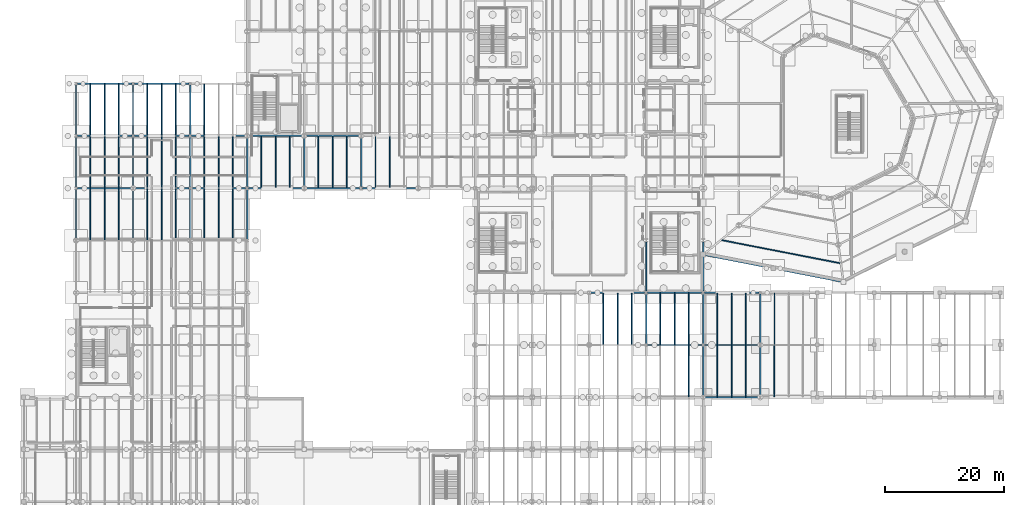
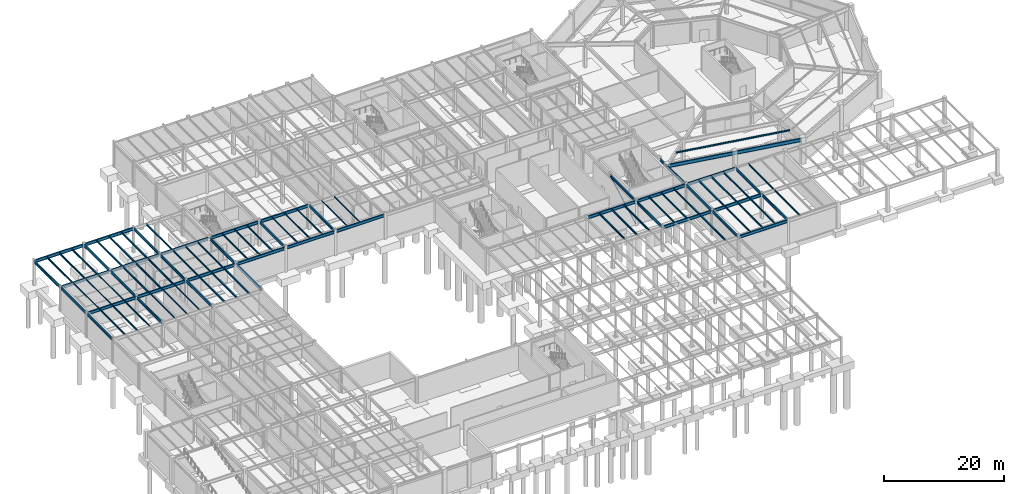
# One storey, part 20 of 48: 89 beams, 1 member.
"""IFC4 building model written with IfcOpenShell, lengths in metres."""

from ifc_helpers import new_model, si_unit, direction, frame, origin, origin_2d, place, context, subcontext, project, spatial, hollow_rectangle, i_section, extrude, material, material_profile, profile_set, type_object, element, save


model = new_model("IFC4")

# Units and contexts
model_context = context("Model", 3, precision=1e-05, world=origin(), true_north=direction((0.0, 1.0)))
body_context = subcontext(model_context, "Body", "Model", "MODEL_VIEW")
ifc_project = project(units=[si_unit("LENGTHUNIT", "METRE"), si_unit("AREAUNIT", "SQUARE_METRE"), si_unit("VOLUMEUNIT", "CUBIC_METRE"), si_unit("PLANEANGLEUNIT", "RADIAN"), si_unit("MASSUNIT", "GRAM", prefix="KILO")], contexts=[model_context])

# Site, building, storey
site_placement = place(None, origin())
site = spatial("IfcSite", under=ifc_project, at=site_placement, CompositionType="ELEMENT")
building_placement = place(site_placement, origin())
building = spatial("IfcBuilding", under=site, at=building_placement, Name="Sarnbrook Museum", CompositionType="ELEMENT")
storey_placement = place(building_placement, frame((0.0, 0.0, -5.39990234375)))
storey = spatial("IfcBuildingStorey", under=building, at=storey_placement, Name="B1", CompositionType="ELEMENT", Elevation=-5.39990234375)

# Beams
ifc_material_1 = material(Name="Structural Steel Grade 300PLUS (AS/NZS 3679.1, fy = 280 MPa for 17 < t <= 40 mm, 300 MPa for t <= 17 mm)", Category="steel")
ifc_material_profile_1 = material_profile(ifc_material_1, i_section(OverallWidth=0.208984375, OverallDepth=0.532958984375, WebThickness=0.01025390625, FlangeThickness=0.015625, FilletRadius=0.013916015625, at=origin_2d()), Name="530UB92.4")
ifc_profile_set_1 = profile_set([ifc_material_profile_1], Name="Structural Steel Grade 300PLUS (AS/NZS 3679.1, fy = 280 MPa for 17 < t <= 40 mm, 300 MPa for t <= 17 mm)")
beam_type_1 = type_object("IfcBeamType", Name="BM-UB530", PredefinedType="BEAM", material=ifc_profile_set_1)
for number, where, z_axis, x_axis, name in (
    (1, (13.60009765625, 65.791015625, 4.83349609375), (0.0, 1.0, 0.0), (-1.0, 0.0, 0.0), "Girder 2:H-J B1"),
    (2, (13.60009765625, 74.591064453125, 4.83349609375), (0.0, 1.0, 0.0), (-1.0, 0.0, 0.0), "Girder 2:J-K B1"),
    (3, (13.60009765625, 83.39111328125, 4.83349609375), (0.0, 1.0, 0.0), (-1.0, 0.0, 0.0), "Girder 2:K-L B1"),
    (4, (23.199951171875, 65.791015625, 4.83349609375), (0.0, 1.0, 0.0), (-1.0, 0.0, 0.0), "Girder 3:H-J B1"),
    (5, (23.199951171875, 74.591064453125, 4.83349609375), (0.0, 1.0, 0.0), (-1.0, 0.0, 0.0), "Girder 3:J-K B1"),
    (6, (23.199951171875, 83.39111328125, 4.83349609375), (0.0, 1.0, 0.0), (-1.0, 0.0, 0.0), "Girder 3:K-L B1"),
    (7, (32.800048828125, 65.791015625, 4.83349609375), (0.0, 1.0, 0.0), (-1.0, 0.0, 0.0), "Girder 4:H-J B1"),
    (8, (32.800048828125, 74.591064453125, 4.83349609375), (0.0, 1.0, 0.0), (-1.0, 0.0, 0.0), "Girder 4:J-K B1"),
    (9, (32.800048828125, 83.39111328125, 4.83349609375), (0.0, 1.0, 0.0), (-1.0, 0.0, 0.0), "Girder 4:K-L B1"),
):
    element("IfcBeam", number, at=place(storey_placement, frame(where, z_axis=z_axis, x_axis=x_axis)), inside=storey, type_object=beam_type_1, Name=name, PredefinedType="BEAM", context=body_context, shape_type="SweptSolid", body=[
        extrude(i_section(OverallWidth=0.208984375, OverallDepth=0.532958984375, WebThickness=0.01025390625, FlangeThickness=0.015625, FilletRadius=0.013916015625, at=origin_2d()), origin(), (0.0, 0.0, 1.0), 8.41796875),
    ])
beam_1_placement = place(storey_placement, frame((42.39990234375, 65.791015625, 4.83349609375), z_axis=(0.0, 1.0, 0.0), x_axis=(-1.0, 0.0, 0.0)))
element("IfcBeam", 10, at=beam_1_placement, inside=storey, type_object=beam_type_1, Name="Girder 5:H-J B1", PredefinedType="BEAM", context=body_context, shape_type="SweptSolid", body=[
    extrude(i_section(OverallWidth=0.208984375, OverallDepth=0.532958984375, WebThickness=0.01025390625, FlangeThickness=0.015625, FilletRadius=0.013916015625, at=origin_2d()), origin(), (0.0, 0.0, 1.0), 8.364013671875),
])
for number, where, z_axis, x_axis, name in (
    (11, (42.39990234375, 74.64501953125, 4.823486328125), (0.0, 1.0, 0.0), (-1.0, 0.0, 0.0), "Girder 5:J-K B1"),
    (12, (52.0, 74.64501953125, 4.823486328125), (0.0, 1.0, 0.0), (-1.0, 0.0, 0.0), "Girder 6:J-K B1"),
    (13, (61.60009765625, 74.64501953125, 4.823486328125), (0.0, 1.0, 0.0), (-1.0, 0.0, 0.0), "Girder 7:J-K B1"),
):
    element("IfcBeam", number, at=place(storey_placement, frame(where, z_axis=z_axis, x_axis=x_axis)), inside=storey, type_object=beam_type_1, Name=name, PredefinedType="BEAM", context=body_context, shape_type="SweptSolid", body=[
        extrude(i_section(OverallWidth=0.208984375, OverallDepth=0.532958984375, WebThickness=0.01025390625, FlangeThickness=0.015625, FilletRadius=0.013916015625, at=origin_2d()), origin(), (0.0, 0.0, 1.0), 8.31005859375),
    ])
beam_2_placement = place(storey_placement, frame((109.60009765625, 48.19091796875, 4.83349609375), z_axis=(0.0, 1.0, 0.0), x_axis=(-1.0, 0.0, 0.0)))
element("IfcBeam", 14, at=beam_2_placement, inside=storey, type_object=beam_type_1, Name="Girder 12:F-G B1", PredefinedType="BEAM", context=body_context, shape_type="SweptSolid", body=[
    extrude(i_section(OverallWidth=0.208984375, OverallDepth=0.532958984375, WebThickness=0.01025390625, FlangeThickness=0.015625, FilletRadius=0.013916015625, at=origin_2d()), origin(), (0.0, 0.0, 1.0), 8.364013671875),
])
beam_3_placement = place(storey_placement, frame((109.60009765625, 57.044921875, 4.83349609375), z_axis=(0.0, 1.0, 0.0), x_axis=(-1.0, 0.0, 0.0)))
element("IfcBeam", 15, at=beam_3_placement, inside=storey, type_object=beam_type_1, Name="Girder 12:G-H B1", PredefinedType="BEAM", context=body_context, shape_type="SweptSolid", body=[
    extrude(i_section(OverallWidth=0.208984375, OverallDepth=0.532958984375, WebThickness=0.01025390625, FlangeThickness=0.015625, FilletRadius=0.013916015625, at=origin_2d()), origin(), (0.0, 0.0, 1.0), 8.31005859375),
])
beam_4_placement = place(storey_placement, frame((119.199951171875, 39.39111328125, 4.83349609375), z_axis=(0.0, 1.0, 0.0), x_axis=(-1.0, 0.0, 0.0)))
element("IfcBeam", 16, at=beam_4_placement, inside=storey, type_object=beam_type_1, Name="Girder 13:E-F B1", PredefinedType="BEAM", context=body_context, shape_type="SweptSolid", body=[
    extrude(i_section(OverallWidth=0.208984375, OverallDepth=0.532958984375, WebThickness=0.01025390625, FlangeThickness=0.015625, FilletRadius=0.013916015625, at=origin_2d()), origin(), (0.0, 0.0, 1.0), 8.41796875),
])
beam_5_placement = place(storey_placement, frame((119.199951171875, 48.19091796875, 4.83349609375), z_axis=(0.0, 1.0, 0.0), x_axis=(-1.0, 0.0, 0.0)))
element("IfcBeam", 17, at=beam_5_placement, inside=storey, type_object=beam_type_1, Name="Girder 13:F-G B1", PredefinedType="BEAM", context=body_context, shape_type="SweptSolid", body=[
    extrude(i_section(OverallWidth=0.208984375, OverallDepth=0.532958984375, WebThickness=0.01025390625, FlangeThickness=0.015625, FilletRadius=0.013916015625, at=origin_2d()), origin(), (0.0, 0.0, 1.0), 8.364013671875),
])
beam_6_placement = place(storey_placement, frame((119.199951171875, 57.044921875, 4.83349609375), z_axis=(0.0, 1.0, 0.0), x_axis=(-1.0, 0.0, 0.0)))
element("IfcBeam", 18, at=beam_6_placement, inside=storey, type_object=beam_type_1, Name="Girder 13:G-H B1", PredefinedType="BEAM", context=body_context, shape_type="SweptSolid", body=[
    extrude(i_section(OverallWidth=0.208984375, OverallDepth=0.532958984375, WebThickness=0.01025390625, FlangeThickness=0.015625, FilletRadius=0.013916015625, at=origin_2d()), origin(), (0.0, 0.0, 1.0), 8.31005859375),
])
for number, where, z_axis, x_axis, name in (
    (19, (128.800048828125, 39.39111328125, 4.843505859375), (0.0, 1.0, 0.0), (-1.0, 0.0, 0.0), "Girder 14:E-F B1"),
    (20, (128.800048828125, 48.19091796875, 4.843505859375), (0.0, 1.0, 0.0), (-1.0, 0.0, 0.0), "Girder 14:F-G B1"),
):
    element("IfcBeam", number, at=place(storey_placement, frame(where, z_axis=z_axis, x_axis=x_axis)), inside=storey, type_object=beam_type_1, Name=name, PredefinedType="BEAM", context=body_context, shape_type="SweptSolid", body=[
        extrude(i_section(OverallWidth=0.208984375, OverallDepth=0.532958984375, WebThickness=0.01025390625, FlangeThickness=0.015625, FilletRadius=0.013916015625, at=origin_2d()), origin(), (0.0, 0.0, 1.0), 8.41796875),
    ])
ifc_material_profile_2 = material_profile(ifc_material_1, i_section(OverallWidth=0.22900390625, OverallDepth=0.612060546875, WebThickness=0.011962890625, FlangeThickness=0.01953125, FilletRadius=0.013916015625, at=origin_2d()), Name="610UB125")
ifc_profile_set_2 = profile_set([ifc_material_profile_2], Name="Structural Steel Grade 300PLUS (AS/NZS 3679.1, fy = 280 MPa for 17 < t <= 40 mm, 300 MPa for t <= 17 mm)")
beam_type_2 = type_object("IfcBeamType", Name="BM-UB610H", PredefinedType="BEAM", material=ifc_profile_set_2)
beam_7_placement = place(storey_placement, frame((119.39990234375, 39.199951171875, 4.803955078125), z_axis=(1.0, 0.0, 0.0), x_axis=(0.0, 1.0, 0.0)))
element("IfcBeam", 21, at=beam_7_placement, inside=storey, type_object=beam_type_2, Name="Girder E:13-14 B1", PredefinedType="BEAM", context=body_context, shape_type="SweptSolid", body=[
    extrude(i_section(OverallWidth=0.22900390625, OverallDepth=0.612060546875, WebThickness=0.011962890625, FlangeThickness=0.01953125, FilletRadius=0.013916015625, at=origin_2d()), origin(), (0.0, 0.0, 1.0), 9.2001953125),
])
beam_8_placement = place(storey_placement, frame((109.800048828125, 48.0, 4.7939453125), z_axis=(1.0, 0.0, 0.0), x_axis=(0.0, 1.0, 0.0)))
element("IfcBeam", 22, at=beam_8_placement, inside=storey, type_object=beam_type_2, Name="Girder F:12-13 B1", PredefinedType="BEAM", context=body_context, shape_type="SweptSolid", body=[
    extrude(i_section(OverallWidth=0.22900390625, OverallDepth=0.612060546875, WebThickness=0.011962890625, FlangeThickness=0.01953125, FilletRadius=0.013916015625, at=origin_2d()), origin(), (0.0, 0.0, 1.0), 9.199951171875),
])
beam_9_placement = place(storey_placement, frame((119.39990234375, 48.0, 4.803955078125), z_axis=(1.0, 0.0, 0.0), x_axis=(0.0, 1.0, 0.0)))
element("IfcBeam", 23, at=beam_9_placement, inside=storey, type_object=beam_type_2, Name="Girder F:13-14 B1", PredefinedType="BEAM", context=body_context, shape_type="SweptSolid", body=[
    extrude(i_section(OverallWidth=0.22900390625, OverallDepth=0.612060546875, WebThickness=0.011962890625, FlangeThickness=0.01953125, FilletRadius=0.013916015625, at=origin_2d()), origin(), (0.0, 0.0, 1.0), 9.2001953125),
])
beam_10_placement = place(storey_placement, frame((100.25, 56.800048828125, 4.7939453125), z_axis=(1.0, 0.0, 0.0), x_axis=(0.0, 1.0, 0.0)))
element("IfcBeam", 24, at=beam_10_placement, inside=storey, type_object=beam_type_2, Name="Girder G:11-12 B1", PredefinedType="BEAM", context=body_context, shape_type="SweptSolid", body=[
    extrude(i_section(OverallWidth=0.22900390625, OverallDepth=0.612060546875, WebThickness=0.011962890625, FlangeThickness=0.01953125, FilletRadius=0.013916015625, at=origin_2d()), origin(), (0.0, 0.0, 1.0), 9.10009765625),
])
beam_11_placement = place(storey_placement, frame((109.85009765625, 56.800048828125, 4.7939453125), z_axis=(1.0, 0.0, 0.0), x_axis=(0.0, 1.0, 0.0)))
element("IfcBeam", 25, at=beam_11_placement, inside=storey, type_object=beam_type_2, Name="Girder G:12-13 B1", PredefinedType="BEAM", context=body_context, shape_type="SweptSolid", body=[
    extrude(i_section(OverallWidth=0.22900390625, OverallDepth=0.612060546875, WebThickness=0.011962890625, FlangeThickness=0.01953125, FilletRadius=0.013916015625, at=origin_2d()), origin(), (0.0, 0.0, 1.0), 9.099853515625),
])
beam_12_placement = place(storey_placement, frame((119.449951171875, 56.800048828125, 4.803955078125), z_axis=(1.0, 0.0, 0.0), x_axis=(0.0, 1.0, 0.0)))
element("IfcBeam", 26, at=beam_12_placement, inside=storey, type_object=beam_type_2, Name="Girder G:13-14 B1", PredefinedType="BEAM", context=body_context, shape_type="SweptSolid", body=[
    extrude(i_section(OverallWidth=0.22900390625, OverallDepth=0.612060546875, WebThickness=0.011962890625, FlangeThickness=0.01953125, FilletRadius=0.013916015625, at=origin_2d()), origin(), (0.0, 0.0, 1.0), 9.150146484375),
])
beam_13_placement = place(storey_placement, frame((13.800048828125, 74.39990234375, 4.7939453125), z_axis=(1.0, 0.0, 0.0), x_axis=(0.0, 1.0, 0.0)))
element("IfcBeam", 27, at=beam_13_placement, inside=storey, type_object=beam_type_2, Name="Girder J:2-3 B1", PredefinedType="BEAM", context=body_context, shape_type="SweptSolid", body=[
    extrude(i_section(OverallWidth=0.22900390625, OverallDepth=0.612060546875, WebThickness=0.011962890625, FlangeThickness=0.01953125, FilletRadius=0.013916015625, at=origin_2d()), origin(), (0.0, 0.0, 1.0), 9.199951171875),
])
beam_14_placement = place(storey_placement, frame((23.39990234375, 74.39990234375, 4.7939453125), z_axis=(1.0, 0.0, 0.0), x_axis=(0.0, 1.0, 0.0)))
element("IfcBeam", 28, at=beam_14_placement, inside=storey, type_object=beam_type_2, Name="Girder J:3-4 B1", PredefinedType="BEAM", context=body_context, shape_type="SweptSolid", body=[
    extrude(i_section(OverallWidth=0.22900390625, OverallDepth=0.612060546875, WebThickness=0.011962890625, FlangeThickness=0.01953125, FilletRadius=0.013916015625, at=origin_2d()), origin(), (0.0, 0.0, 1.0), 9.2001953125),
])
beam_15_placement = place(storey_placement, frame((33.0, 74.39990234375, 4.7939453125), z_axis=(1.0, 0.0, 0.0), x_axis=(0.0, 1.0, 0.0)))
element("IfcBeam", 29, at=beam_15_placement, inside=storey, type_object=beam_type_2, Name="Girder J:4-5 B1", PredefinedType="BEAM", context=body_context, shape_type="SweptSolid", body=[
    extrude(i_section(OverallWidth=0.22900390625, OverallDepth=0.612060546875, WebThickness=0.011962890625, FlangeThickness=0.01953125, FilletRadius=0.013916015625, at=origin_2d()), origin(), (0.0, 0.0, 1.0), 9.14990234375),
])
for number, where, z_axis, x_axis, name in (
    (30, (42.64990234375, 74.39990234375, 4.783935546875), (1.0, 0.0, 0.0), (0.0, 1.0, 0.0), "Girder J:5-6 B1"),
    (31, (52.25, 74.39990234375, 4.783935546875), (1.0, 0.0, 0.0), (0.0, 1.0, 0.0), "Girder J:6-7 B1"),
):
    element("IfcBeam", number, at=place(storey_placement, frame(where, z_axis=z_axis, x_axis=x_axis)), inside=storey, type_object=beam_type_2, Name=name, PredefinedType="BEAM", context=body_context, shape_type="SweptSolid", body=[
        extrude(i_section(OverallWidth=0.22900390625, OverallDepth=0.612060546875, WebThickness=0.011962890625, FlangeThickness=0.01953125, FilletRadius=0.013916015625, at=origin_2d()), origin(), (0.0, 0.0, 1.0), 9.10009765625),
    ])
beam_16_placement = place(storey_placement, frame((61.85009765625, 74.39990234375, 4.783935546875), z_axis=(1.0, 0.0, 0.0), x_axis=(0.0, 1.0, 0.0)))
element("IfcBeam", 32, at=beam_16_placement, inside=storey, type_object=beam_type_2, Name="Girder J:7-8 B1", PredefinedType="BEAM", context=body_context, shape_type="SweptSolid", body=[
    extrude(i_section(OverallWidth=0.22900390625, OverallDepth=0.612060546875, WebThickness=0.011962890625, FlangeThickness=0.01953125, FilletRadius=0.013916015625, at=origin_2d()), origin(), (0.0, 0.0, 1.0), 9.099853515625),
])
beam_17_placement = place(storey_placement, frame((13.800048828125, 83.199951171875, 4.7939453125), z_axis=(1.0, 0.0, 0.0), x_axis=(0.0, 1.0, 0.0)))
element("IfcBeam", 33, at=beam_17_placement, inside=storey, type_object=beam_type_2, Name="Girder K:2-3 B1", PredefinedType="BEAM", context=body_context, shape_type="SweptSolid", body=[
    extrude(i_section(OverallWidth=0.22900390625, OverallDepth=0.612060546875, WebThickness=0.011962890625, FlangeThickness=0.01953125, FilletRadius=0.013916015625, at=origin_2d()), origin(), (0.0, 0.0, 1.0), 9.199951171875),
])
beam_18_placement = place(storey_placement, frame((23.39990234375, 83.199951171875, 4.7939453125), z_axis=(1.0, 0.0, 0.0), x_axis=(0.0, 1.0, 0.0)))
element("IfcBeam", 34, at=beam_18_placement, inside=storey, type_object=beam_type_2, Name="Girder K:3-4 B1", PredefinedType="BEAM", context=body_context, shape_type="SweptSolid", body=[
    extrude(i_section(OverallWidth=0.22900390625, OverallDepth=0.612060546875, WebThickness=0.011962890625, FlangeThickness=0.01953125, FilletRadius=0.013916015625, at=origin_2d()), origin(), (0.0, 0.0, 1.0), 9.2001953125),
])
beam_19_placement = place(storey_placement, frame((33.0, 83.199951171875, 4.7939453125), z_axis=(1.0, 0.0, 0.0), x_axis=(0.0, 1.0, 0.0)))
element("IfcBeam", 35, at=beam_19_placement, inside=storey, type_object=beam_type_2, Name="Girder K:4-5 B1", PredefinedType="BEAM", context=body_context, shape_type="SweptSolid", body=[
    extrude(i_section(OverallWidth=0.22900390625, OverallDepth=0.612060546875, WebThickness=0.011962890625, FlangeThickness=0.01953125, FilletRadius=0.013916015625, at=origin_2d()), origin(), (0.0, 0.0, 1.0), 9.14990234375),
])
for number, where, z_axis, x_axis, name in (
    (36, (42.64990234375, 83.199951171875, 4.783935546875), (1.0, 0.0, 0.0), (0.0, 1.0, 0.0), "Girder K:5-6 B1"),
    (37, (52.25, 83.199951171875, 4.783935546875), (1.0, 0.0, 0.0), (0.0, 1.0, 0.0), "Girder K:6-7 B1"),
):
    element("IfcBeam", number, at=place(storey_placement, frame(where, z_axis=z_axis, x_axis=x_axis)), inside=storey, type_object=beam_type_2, Name=name, PredefinedType="BEAM", context=body_context, shape_type="SweptSolid", body=[
        extrude(i_section(OverallWidth=0.22900390625, OverallDepth=0.612060546875, WebThickness=0.011962890625, FlangeThickness=0.01953125, FilletRadius=0.013916015625, at=origin_2d()), origin(), (0.0, 0.0, 1.0), 9.10009765625),
    ])
beam_20_placement = place(storey_placement, frame((13.800048828125, 92.0, 4.7939453125), z_axis=(1.0, 0.0, 0.0), x_axis=(0.0, 1.0, 0.0)))
element("IfcBeam", 38, at=beam_20_placement, inside=storey, type_object=beam_type_2, Name="Girder L:2-3 B1", PredefinedType="BEAM", context=body_context, shape_type="SweptSolid", body=[
    extrude(i_section(OverallWidth=0.22900390625, OverallDepth=0.612060546875, WebThickness=0.011962890625, FlangeThickness=0.01953125, FilletRadius=0.013916015625, at=origin_2d()), origin(), (0.0, 0.0, 1.0), 9.199951171875),
])
beam_21_placement = place(storey_placement, frame((23.39990234375, 92.0, 4.7939453125), z_axis=(1.0, 0.0, 0.0), x_axis=(0.0, 1.0, 0.0)))
element("IfcBeam", 39, at=beam_21_placement, inside=storey, type_object=beam_type_2, Name="Girder L:3-4 B1", PredefinedType="BEAM", context=body_context, shape_type="SweptSolid", body=[
    extrude(i_section(OverallWidth=0.22900390625, OverallDepth=0.612060546875, WebThickness=0.011962890625, FlangeThickness=0.01953125, FilletRadius=0.013916015625, at=origin_2d()), origin(), (0.0, 0.0, 1.0), 9.2001953125),
])
ifc_material_2 = material(Name="Structural Steel Grade 350L0 (AS/NZS 3678, fy = 340 MPa for 20 < t <= 40 mm)", Category="steel")
ifc_material_profile_3 = material_profile(ifc_material_2, i_section(OverallWidth=0.25, OverallDepth=0.699951171875, WebThickness=0.010009765625, FlangeThickness=0.01611328125, at=origin_2d()), Name="700WB130")
ifc_profile_set_3 = profile_set([ifc_material_profile_3], Name="Structural Steel Grade 350L0 (AS/NZS 3678, fy = 340 MPa for 20 < t <= 40 mm)")
beam_type_3 = type_object("IfcBeamType", Name="BM-WB700", PredefinedType="BEAM", material=ifc_profile_set_3)
beam_22_placement = place(storey_placement, frame((119.4453125, 63.152099609375, 4.739990234375), z_axis=(0.981528508829, -0.191315933358, 0.0), x_axis=(0.191315933358, 0.981528508829, 0.0)))
element("IfcBeam", 40, at=beam_22_placement, inside=storey, type_object=beam_type_3, Name="Crystal Hall Perimeter Ring Girder 1 B1", PredefinedType="BEAM", context=body_context, shape_type="SweptSolid", body=[
    extrude(i_section(OverallWidth=0.25, OverallDepth=0.699951171875, WebThickness=0.010009765625, FlangeThickness=0.01611328125, at=origin_2d()), origin(), (0.0, 0.0, 1.0), 23.544189453125),
])
ifc_material_profile_4 = material_profile(ifc_material_1, i_section(OverallWidth=0.134033203125, OverallDepth=0.20703125, WebThickness=0.00634765625, FlangeThickness=0.009521484375, FilletRadius=0.0087890625, at=origin_2d()), Name="200UB29.8")
ifc_profile_set_4 = profile_set([ifc_material_profile_4], Name="Structural Steel Grade 300PLUS (AS/NZS 3679.1, fy = 280 MPa for 17 < t <= 40 mm, 300 MPa for t <= 17 mm)")
beam_type_4 = type_object("IfcBeamType", Name="JS-UB200", PredefinedType="JOIST", material=ifc_profile_set_4)
for number, where, z_axis, x_axis, name in (
    (41, (16.0, 74.514404296875, 4.996337890625), (0.0, 1.0, 0.0), (-1.0, 0.0, 0.0), "Composite Floor Joist 2J-1 B1"),
    (42, (18.39990234375, 74.514404296875, 4.996337890625), (0.0, 1.0, 0.0), (-1.0, 0.0, 0.0), "Composite Floor Joist 2J-2 B1"),
    (43, (20.800048828125, 74.514404296875, 4.996337890625), (0.0, 1.0, 0.0), (-1.0, 0.0, 0.0), "Composite Floor Joist 2J-3 B1"),
):
    element("IfcBeam", number, at=place(storey_placement, frame(where, z_axis=z_axis, x_axis=x_axis)), inside=storey, type_object=beam_type_4, Name=name, PredefinedType="JOIST", context=body_context, shape_type="SweptSolid", body=[
        extrude(i_section(OverallWidth=0.134033203125, OverallDepth=0.20703125, WebThickness=0.00634765625, FlangeThickness=0.009521484375, FilletRadius=0.0087890625, at=origin_2d()), origin(), (0.0, 0.0, 1.0), 8.571044921875),
    ])
for number, where, z_axis, x_axis, name in (
    (44, (25.60009765625, 65.714599609375, 4.996337890625), (0.0, 1.0, 0.0), (-1.0, 0.0, 0.0), "Composite Floor Joist 3H-1 B1"),
    (45, (28.0, 65.714599609375, 4.996337890625), (0.0, 1.0, 0.0), (-1.0, 0.0, 0.0), "Composite Floor Joist 3H-2 B1"),
    (46, (30.39990234375, 65.714599609375, 4.996337890625), (0.0, 1.0, 0.0), (-1.0, 0.0, 0.0), "Composite Floor Joist 3H-3 B1"),
):
    element("IfcBeam", number, at=place(storey_placement, frame(where, z_axis=z_axis, x_axis=x_axis)), inside=storey, type_object=beam_type_4, Name=name, PredefinedType="JOIST", context=body_context, shape_type="SweptSolid", body=[
        extrude(i_section(OverallWidth=0.134033203125, OverallDepth=0.20703125, WebThickness=0.00634765625, FlangeThickness=0.009521484375, FilletRadius=0.0087890625, at=origin_2d()), origin(), (0.0, 0.0, 1.0), 8.57080078125),
    ])
for number, where, z_axis, x_axis, name in (
    (47, (64.0, 74.514404296875, 4.986328125), (0.0, 1.0, 0.0), (-1.0, 0.0, 0.0), "Composite Floor Joist 7J-1 B1"),
    (48, (66.39990234375, 74.514404296875, 4.986328125), (0.0, 1.0, 0.0), (-1.0, 0.0, 0.0), "Composite Floor Joist 7J-2 B1"),
):
    element("IfcBeam", number, at=place(storey_placement, frame(where, z_axis=z_axis, x_axis=x_axis)), inside=storey, type_object=beam_type_4, Name=name, PredefinedType="JOIST", context=body_context, shape_type="SweptSolid", body=[
        extrude(i_section(OverallWidth=0.134033203125, OverallDepth=0.20703125, WebThickness=0.00634765625, FlangeThickness=0.009521484375, FilletRadius=0.0087890625, at=origin_2d()), origin(), (0.0, 0.0, 1.0), 8.571044921875),
    ])
ifc_material_profile_5 = material_profile(ifc_material_1, i_section(OverallWidth=0.14599609375, OverallDepth=0.256103515625, WebThickness=0.00634765625, FlangeThickness=0.010986328125, FilletRadius=0.0087890625, at=origin_2d()), Name="250UB37.3")
ifc_profile_set_5 = profile_set([ifc_material_profile_5], Name="Structural Steel Grade 300PLUS (AS/NZS 3679.1, fy = 280 MPa for 17 < t <= 40 mm, 300 MPa for t <= 17 mm)")
beam_type_5 = type_object("IfcBeamType", Name="JS-UB250", PredefinedType="JOIST", material=ifc_profile_set_5)
for number, where, z_axis, x_axis, name in (
    (49, (16.0, 65.714599609375, 4.971923828125), (0.0, 1.0, 0.0), (-1.0, 0.0, 0.0), "Composite Floor Joist 2H-1 B1"),
    (50, (18.39990234375, 65.714599609375, 4.971923828125), (0.0, 1.0, 0.0), (-1.0, 0.0, 0.0), "Composite Floor Joist 2H-2 B1"),
    (51, (20.800048828125, 65.714599609375, 4.971923828125), (0.0, 1.0, 0.0), (-1.0, 0.0, 0.0), "Composite Floor Joist 2H-3 B1"),
):
    element("IfcBeam", number, at=place(storey_placement, frame(where, z_axis=z_axis, x_axis=x_axis)), inside=storey, type_object=beam_type_5, Name=name, PredefinedType="JOIST", context=body_context, shape_type="SweptSolid", body=[
        extrude(i_section(OverallWidth=0.14599609375, OverallDepth=0.256103515625, WebThickness=0.00634765625, FlangeThickness=0.010986328125, FilletRadius=0.0087890625, at=origin_2d()), origin(), (0.0, 0.0, 1.0), 8.57080078125),
    ])
for number, where, z_axis, x_axis, name in (
    (52, (54.39990234375, 74.514404296875, 4.9619140625), (0.0, 1.0, 0.0), (-1.0, 0.0, 0.0), "Composite Floor Joist 6J-1 B1"),
    (53, (56.800048828125, 74.514404296875, 4.9619140625), (0.0, 1.0, 0.0), (-1.0, 0.0, 0.0), "Composite Floor Joist 6J-2 B1"),
    (54, (59.199951171875, 74.514404296875, 4.9619140625), (0.0, 1.0, 0.0), (-1.0, 0.0, 0.0), "Composite Floor Joist 6J-3 B1"),
    (55, (131.199951171875, 48.114501953125, 4.98193359375), (0.0, 1.0, 0.0), (-1.0, 0.0, 0.0), "Composite Floor Joist 14F-1 B1"),
):
    element("IfcBeam", number, at=place(storey_placement, frame(where, z_axis=z_axis, x_axis=x_axis)), inside=storey, type_object=beam_type_5, Name=name, PredefinedType="JOIST", context=body_context, shape_type="SweptSolid", body=[
        extrude(i_section(OverallWidth=0.14599609375, OverallDepth=0.256103515625, WebThickness=0.00634765625, FlangeThickness=0.010986328125, FilletRadius=0.0087890625, at=origin_2d()), origin(), (0.0, 0.0, 1.0), 8.571044921875),
    ])
ifc_material_profile_6 = material_profile(ifc_material_1, i_section(OverallWidth=0.1650390625, OverallDepth=0.303955078125, WebThickness=0.006103515625, FlangeThickness=0.01025390625, FilletRadius=0.011474609375, at=origin_2d()), Name="310UB40.4")
ifc_profile_set_6 = profile_set([ifc_material_profile_6], Name="Structural Steel Grade 300PLUS (AS/NZS 3679.1, fy = 280 MPa for 17 < t <= 40 mm, 300 MPa for t <= 17 mm)")
beam_type_6 = type_object("IfcBeamType", Name="JS-UB310", PredefinedType="JOIST", material=ifc_profile_set_6)
for number, where, z_axis, x_axis, name in (
    (56, (35.199951171875, 83.314453125, 4.947998046875), (0.0, 1.0, 0.0), (-1.0, 0.0, 0.0), "Composite Floor Joist 4K-1 B1"),
    (57, (44.800048828125, 74.514404296875, 4.93798828125), (0.0, 1.0, 0.0), (-1.0, 0.0, 0.0), "Composite Floor Joist 5J-1 B1"),
    (58, (47.199951171875, 74.514404296875, 4.93798828125), (0.0, 1.0, 0.0), (-1.0, 0.0, 0.0), "Composite Floor Joist 5J-2 B1"),
    (59, (49.60009765625, 74.514404296875, 4.93798828125), (0.0, 1.0, 0.0), (-1.0, 0.0, 0.0), "Composite Floor Joist 5J-3 B1"),
    (60, (121.60009765625, 48.114501953125, 4.9580078125), (0.0, 1.0, 0.0), (-1.0, 0.0, 0.0), "Composite Floor Joist 13F-1 B1"),
    (61, (124.0, 48.114501953125, 4.9580078125), (0.0, 1.0, 0.0), (-1.0, 0.0, 0.0), "Composite Floor Joist 13F-2 B1"),
    (62, (126.39990234375, 48.114501953125, 4.9580078125), (0.0, 1.0, 0.0), (-1.0, 0.0, 0.0), "Composite Floor Joist 13F-3 B1"),
    (63, (131.199951171875, 39.314453125, 4.9580078125), (0.0, 1.0, 0.0), (-1.0, 0.0, 0.0), "Composite Floor Joist 14E-1 B1"),
):
    element("IfcBeam", number, at=place(storey_placement, frame(where, z_axis=z_axis, x_axis=x_axis)), inside=storey, type_object=beam_type_6, Name=name, PredefinedType="JOIST", context=body_context, shape_type="SweptSolid", body=[
        extrude(i_section(OverallWidth=0.1650390625, OverallDepth=0.303955078125, WebThickness=0.006103515625, FlangeThickness=0.01025390625, FilletRadius=0.011474609375, at=origin_2d()), origin(), (0.0, 0.0, 1.0), 8.571044921875),
    ])
beam_23_placement = place(storey_placement, frame((122.35693359375, 65.64111328125, 4.93798828125), z_axis=(0.981528457279, -0.191316197829, 0.0), x_axis=(0.191316197829, 0.981528457279, 0.0)))
element("IfcBeam", 64, at=beam_23_placement, inside=storey, type_object=beam_type_6, Name="Crystal Hall Tangential Joist MO-1 B1", PredefinedType="JOIST", context=body_context, shape_type="SweptSolid", body=[
    extrude(i_section(OverallWidth=0.1650390625, OverallDepth=0.303955078125, WebThickness=0.006103515625, FlangeThickness=0.01025390625, FilletRadius=0.011474609375, at=origin_2d()), origin(), (0.0, 0.0, 1.0), 20.23779296875),
])
ifc_material_profile_7 = material_profile(ifc_material_1, i_section(OverallWidth=0.166015625, OverallDepth=0.306884765625, WebThickness=0.006591796875, FlangeThickness=0.01171875, FilletRadius=0.011474609375, at=origin_2d()), Name="310UB46.2")
ifc_profile_set_7 = profile_set([ifc_material_profile_7], Name="Structural Steel Grade 300PLUS (AS/NZS 3679.1, fy = 280 MPa for 17 < t <= 40 mm, 300 MPa for t <= 17 mm)")
beam_type_7 = type_object("IfcBeamType", Name="JS-UB310H", PredefinedType="JOIST", material=ifc_profile_set_7)
for number, where, z_axis, x_axis, name in (
    (65, (25.60009765625, 83.314453125, 4.9462890625), (0.0, 1.0, 0.0), (-1.0, 0.0, 0.0), "Composite Floor Joist 3K-1 B1"),
    (66, (28.0, 83.314453125, 4.9462890625), (0.0, 1.0, 0.0), (-1.0, 0.0, 0.0), "Composite Floor Joist 3K-2 B1"),
    (67, (30.39990234375, 83.314453125, 4.9462890625), (0.0, 1.0, 0.0), (-1.0, 0.0, 0.0), "Composite Floor Joist 3K-3 B1"),
    (68, (35.199951171875, 74.514404296875, 4.9462890625), (0.0, 1.0, 0.0), (-1.0, 0.0, 0.0), "Composite Floor Joist 4J-1 B1"),
    (69, (37.60009765625, 74.514404296875, 4.9462890625), (0.0, 1.0, 0.0), (-1.0, 0.0, 0.0), "Composite Floor Joist 4J-2 B1"),
    (70, (40.0, 74.514404296875, 4.9462890625), (0.0, 1.0, 0.0), (-1.0, 0.0, 0.0), "Composite Floor Joist 4J-3 B1"),
    (71, (112.0, 48.114501953125, 4.9462890625), (0.0, 1.0, 0.0), (-1.0, 0.0, 0.0), "Composite Floor Joist 12F-1 B1"),
    (72, (114.39990234375, 48.114501953125, 4.9462890625), (0.0, 1.0, 0.0), (-1.0, 0.0, 0.0), "Composite Floor Joist 12F-2 B1"),
    (73, (116.800048828125, 48.114501953125, 4.9462890625), (0.0, 1.0, 0.0), (-1.0, 0.0, 0.0), "Composite Floor Joist 12F-3 B1"),
    (74, (121.60009765625, 39.314453125, 4.956298828125), (0.0, 1.0, 0.0), (-1.0, 0.0, 0.0), "Composite Floor Joist 13E-1 B1"),
    (75, (124.0, 39.314453125, 4.956298828125), (0.0, 1.0, 0.0), (-1.0, 0.0, 0.0), "Composite Floor Joist 13E-2 B1"),
    (76, (126.39990234375, 39.314453125, 4.956298828125), (0.0, 1.0, 0.0), (-1.0, 0.0, 0.0), "Composite Floor Joist 13E-3 B1"),
):
    element("IfcBeam", number, at=place(storey_placement, frame(where, z_axis=z_axis, x_axis=x_axis)), inside=storey, type_object=beam_type_7, Name=name, PredefinedType="JOIST", context=body_context, shape_type="SweptSolid", body=[
        extrude(i_section(OverallWidth=0.166015625, OverallDepth=0.306884765625, WebThickness=0.006591796875, FlangeThickness=0.01171875, FilletRadius=0.011474609375, at=origin_2d()), origin(), (0.0, 0.0, 1.0), 8.571044921875),
    ])
ifc_material_profile_8 = material_profile(ifc_material_1, i_section(OverallWidth=0.1708984375, OverallDepth=0.35595703125, WebThickness=0.00732421875, FlangeThickness=0.011474609375, FilletRadius=0.011474609375, at=origin_2d()), Name="360UB50.7")
ifc_profile_set_8 = profile_set([ifc_material_profile_8], Name="Structural Steel Grade 300PLUS (AS/NZS 3679.1, fy = 280 MPa for 17 < t <= 40 mm, 300 MPa for t <= 17 mm)")
beam_type_8 = type_object("IfcBeamType", Name="JS-UB360", PredefinedType="JOIST", material=ifc_profile_set_8)
for number, where, z_axis, x_axis, name in (
    (77, (16.0, 83.314453125, 4.921875), (0.0, 1.0, 0.0), (-1.0, 0.0, 0.0), "Composite Floor Joist 2K-1 B1"),
    (78, (18.39990234375, 83.314453125, 4.921875), (0.0, 1.0, 0.0), (-1.0, 0.0, 0.0), "Composite Floor Joist 2K-2 B1"),
    (79, (20.800048828125, 83.314453125, 4.921875), (0.0, 1.0, 0.0), (-1.0, 0.0, 0.0), "Composite Floor Joist 2K-3 B1"),
    (80, (25.60009765625, 74.514404296875, 4.921875), (0.0, 1.0, 0.0), (-1.0, 0.0, 0.0), "Composite Floor Joist 3J-1 B1"),
    (81, (28.0, 74.514404296875, 4.921875), (0.0, 1.0, 0.0), (-1.0, 0.0, 0.0), "Composite Floor Joist 3J-2 B1"),
    (82, (30.39990234375, 74.514404296875, 4.921875), (0.0, 1.0, 0.0), (-1.0, 0.0, 0.0), "Composite Floor Joist 3J-3 B1"),
):
    element("IfcBeam", number, at=place(storey_placement, frame(where, z_axis=z_axis, x_axis=x_axis)), inside=storey, type_object=beam_type_8, Name=name, PredefinedType="JOIST", context=body_context, shape_type="SweptSolid", body=[
        extrude(i_section(OverallWidth=0.1708984375, OverallDepth=0.35595703125, WebThickness=0.00732421875, FlangeThickness=0.011474609375, FilletRadius=0.011474609375, at=origin_2d()), origin(), (0.0, 0.0, 1.0), 8.571044921875),
    ])
for number, where, z_axis, x_axis, name in (
    (83, (35.199951171875, 65.714599609375, 4.921875), (0.0, 1.0, 0.0), (-1.0, 0.0, 0.0), "Composite Floor Joist 4H-1 B1"),
    (84, (37.60009765625, 65.714599609375, 4.921875), (0.0, 1.0, 0.0), (-1.0, 0.0, 0.0), "Composite Floor Joist 4H-2 B1"),
    (85, (40.0, 65.714599609375, 4.921875), (0.0, 1.0, 0.0), (-1.0, 0.0, 0.0), "Composite Floor Joist 4H-3 B1"),
):
    element("IfcBeam", number, at=place(storey_placement, frame(where, z_axis=z_axis, x_axis=x_axis)), inside=storey, type_object=beam_type_8, Name=name, PredefinedType="JOIST", context=body_context, shape_type="SweptSolid", body=[
        extrude(i_section(OverallWidth=0.1708984375, OverallDepth=0.35595703125, WebThickness=0.00732421875, FlangeThickness=0.011474609375, FilletRadius=0.011474609375, at=origin_2d()), origin(), (0.0, 0.0, 1.0), 8.57080078125),
    ])
for number, where, z_axis, x_axis, name in (
    (86, (102.39990234375, 48.114501953125, 4.921875), (0.0, 1.0, 0.0), (-1.0, 0.0, 0.0), "Composite Floor Joist 11F-1 B1"),
    (87, (104.800048828125, 48.114501953125, 4.921875), (0.0, 1.0, 0.0), (-1.0, 0.0, 0.0), "Composite Floor Joist 11F-2 B1"),
    (88, (107.199951171875, 48.114501953125, 4.921875), (0.0, 1.0, 0.0), (-1.0, 0.0, 0.0), "Composite Floor Joist 11F-3 B1"),
    (89, (116.800048828125, 39.314453125, 4.921875), (0.0, 1.0, 0.0), (-1.0, 0.0, 0.0), "Composite Floor Joist 12E-3 B1"),
):
    element("IfcBeam", number, at=place(storey_placement, frame(where, z_axis=z_axis, x_axis=x_axis)), inside=storey, type_object=beam_type_8, Name=name, PredefinedType="JOIST", context=body_context, shape_type="SweptSolid", body=[
        extrude(i_section(OverallWidth=0.1708984375, OverallDepth=0.35595703125, WebThickness=0.00732421875, FlangeThickness=0.011474609375, FilletRadius=0.011474609375, at=origin_2d()), origin(), (0.0, 0.0, 1.0), 8.571044921875),
    ])

# Member
ifc_material_3 = material(Name="Structural Steel Hollow Section Grade C350L0 (AS/NZS 1163, fy = 350 MPa)", Category="steel")
ifc_material_profile_9 = material_profile(ifc_material_3, hollow_rectangle(XDim=0.14990234375, YDim=0.14990234375, WallThickness=0.009033203125, at=origin_2d()), Name="150x150x9.0SHS")
ifc_profile_set_9 = profile_set([ifc_material_profile_9], Name="Structural Steel Hollow Section Grade C350L0 (AS/NZS 1163, fy = 350 MPa)")
member_type = type_object("IfcMemberType", Name="MB-SHS150", PredefinedType="BRACE", material=ifc_profile_set_9)
member_placement = place(storey_placement, frame((109.60009765625, 56.97998046875, 0.119873046875), z_axis=(0.0, 0.876734792147, 0.480974120135), x_axis=(-1.0, 0.0, 0.0)))
element("IfcMember", 90, at=member_placement, inside=storey, type_object=member_type, Name="Lateral Diagonal Brace CBF-2 B1", PredefinedType="BRACE", context=body_context, shape_type="SweptSolid", body=[
    extrude(hollow_rectangle(XDim=0.14990234375, YDim=0.14990234375, WallThickness=0.009033203125, at=origin_2d()), origin(), (0.0, 0.0, 1.0), 9.62646484375),
])

save(model, "model.ifc")
